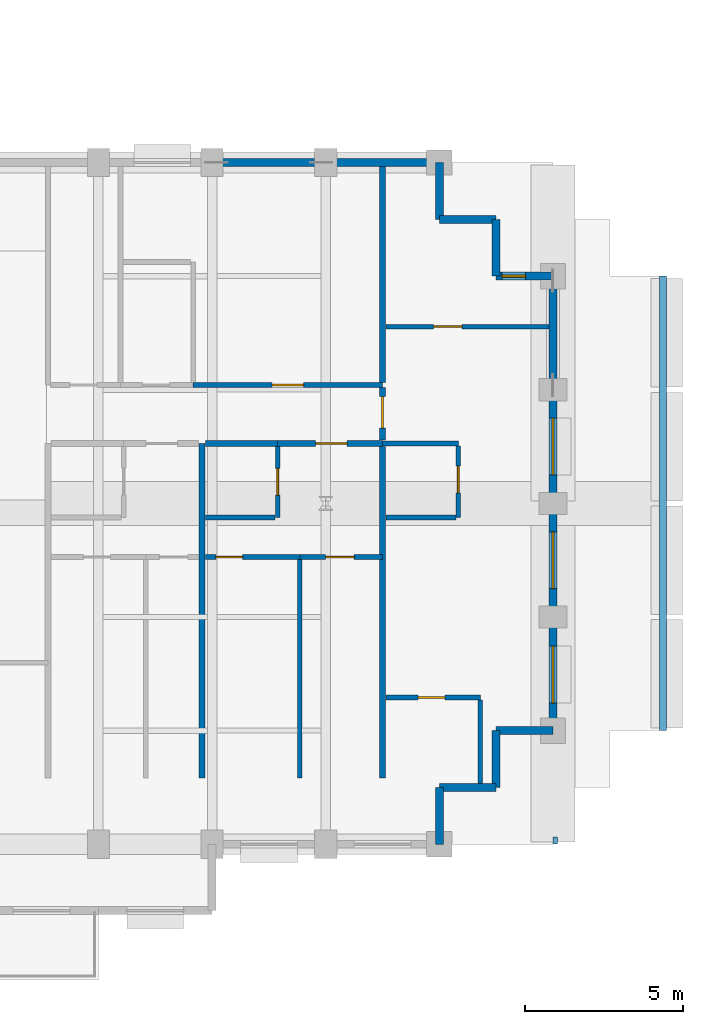
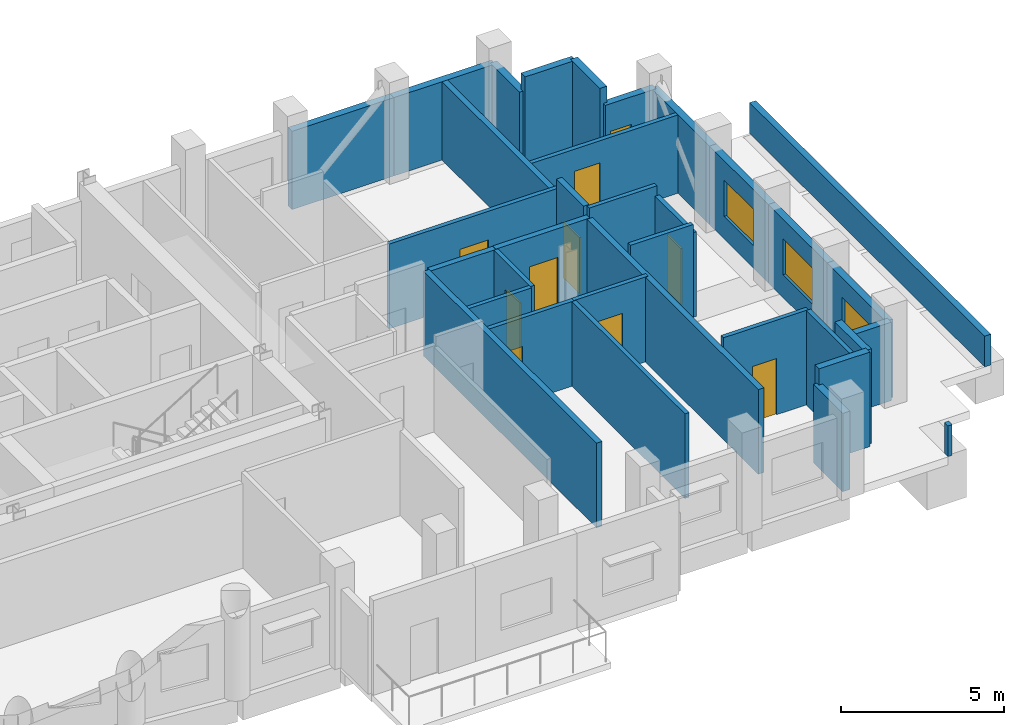
# One storey, part 6 of 10: 34 walls, 9 doors, 4 windows, 13 openings.
"""IFC4 building model written with IfcOpenShell, lengths in metres."""

from ifc_helpers import new_model, si_unit, direction, frame, frame_2d, origin, place, context, subcontext, project, spatial, rectangle, extrude, material, layer, layer_set, type_object, element, fill, save


model = new_model("IFC4")

# Units and contexts
model_context = context("Model", 3, precision=1e-05, world=origin(), true_north=direction((0.0, 1.0)))
body_context = subcontext(model_context, "Body", "Model", "MODEL_VIEW")
ifc_project = project(units=[si_unit("LENGTHUNIT", "METRE"), si_unit("AREAUNIT", "SQUARE_METRE"), si_unit("VOLUMEUNIT", "CUBIC_METRE"), si_unit("PLANEANGLEUNIT", "RADIAN"), si_unit("MASSUNIT", "GRAM", prefix="KILO")], contexts=[model_context])

# Site, building, storey
site_placement = place(None, origin())
site = spatial("IfcSite", under=ifc_project, at=site_placement, CompositionType="ELEMENT")
building_placement = place(site_placement, origin())
building = spatial("IfcBuilding", under=site, at=building_placement, Name="Solnavia Interchange Tower", CompositionType="ELEMENT")
storey_placement = place(building_placement, frame((0.0, 0.0, 174.800048828125)))
storey = spatial("IfcBuildingStorey", under=building, at=storey_placement, Name="L43", CompositionType="ELEMENT", Elevation=174.800048828125)

# Walls
ifc_material_1 = material(Name="Gypsum Acoustic Twin-Stud & Mineral Wool", Category="gypsum")
ifc_layer_1 = layer(ifc_material_1, 0.199951171875)
ifc_layer_set_1 = layer_set([ifc_layer_1], Name="Gypsum Acoustic Twin-Stud & Mineral Wool")
wall_type_1 = type_object("IfcWallType", Name="Wall-ApartmentParty-200", PredefinedType="PARTITIONING", material=ifc_layer_set_1)
wall_1_placement = place(storey_placement, frame((39.280029296875, 5.699951171875, 0.0), z_axis=(0.0, 0.0, 1.0), x_axis=(0.0, 1.0, 0.0)))
element("IfcWall", 1, at=wall_1_placement, inside=storey, type_object=wall_type_1, Name="PTW-L43-14 Interior partition wall", PredefinedType="PARTITIONING", context=body_context, shape_type="SweptSolid", body=[
    extrude(rectangle(XDim=10.60009765625, YDim=0.199951171875, at=frame_2d((5.300048828125, 0.0))), origin(), (0.0, 0.0, 1.0), 3.169921875),
])
wall_2_placement = place(storey_placement, frame((39.384033203125, 16.300048828125, 0.0), z_axis=(0.0, 0.0, 1.0), x_axis=(1.0, 0.0, 0.0)))
element("IfcWall", 2, at=wall_2_placement, inside=storey, type_object=wall_type_1, Name="PTW-L43-22 Interior partition wall", PredefinedType="PARTITIONING", context=body_context, shape_type="SweptSolid", body=[
    extrude(rectangle(XDim=2.2958984375, YDim=0.199951171875, at=frame_2d((1.14794921875, 0.0))), origin(), (0.0, 0.0, 1.0), 3.169921875),
])

# Wall, opening, door
wall_3_placement = place(storey_placement, frame((41.679931640625, 16.300048828125, 0.0), z_axis=(0.0, 0.0, 1.0), x_axis=(1.0, 0.0, 0.0)))
wall_3 = element("IfcWall", 3, at=wall_3_placement, inside=storey, type_object=wall_type_1, Name="PTW-L43-25 Interior partition wall", PredefinedType="PARTITIONING", context=body_context, shape_type="SweptSolid", body=[
    extrude(rectangle(XDim=3.320068359375, YDim=0.199951171875, at=frame_2d((1.66015625, 0.0))), origin(), (0.0, 0.0, 1.0), 3.179931640625),
])
opening_1_placement = place(wall_3_placement, frame((1.198974609375, 0.0, 0.0)))
opening_1 = element("IfcOpeningElement", 4, at=opening_1_placement, cuts=wall_3, Name="Opening DR-06", PredefinedType="OPENING", context=body_context, shape_type="SweptSolid", body=[
    extrude(rectangle(XDim=1.0, YDim=2.10009765625, at=frame_2d((0.5, 1.050048828125))), frame((0.0, 0.10986328125, 0.0), z_axis=(0.0, -1.0, 0.0), x_axis=(1.0, 0.0, 0.0)), (0.0, 0.0, 1.0), 0.219970703125),
])
ifc_material_2 = material(Name="Engineered Timber Acoustic Fire Door", Category="wood")
door_type_1 = type_object("IfcDoorType", Name="Door-FlatEntry-1000x2100", OperationType="SINGLE_SWING_LEFT", PredefinedType="DOOR", material=ifc_material_2)
door_1_placement = place(opening_1_placement, origin())
door_1 = element("IfcDoor", 5, at=door_1_placement, inside=storey, type_object=door_type_1, Name="DR-L43-11 Interior room door", OperationType="SINGLE_SWING_LEFT", OverallHeight=2.10009765625, OverallWidth=1.0, PredefinedType="DOOR", context=body_context, shape_type="SweptSolid", body=[
    extrude(rectangle(XDim=1.0, YDim=2.10009765625, at=frame_2d((0.5, 1.050048828125))), frame((0.0, 0.02490234375, 0.0), z_axis=(0.0, -1.0, 0.0), x_axis=(1.0, 0.0, 0.0)), (0.0, 0.0, 1.0), 0.050048828125),
])
fill(opening_1, door_1)

# Walls
wall_4_placement = place(storey_placement, frame((45.0, 5.699951171875, 0.0), z_axis=(0.0, 0.0, 1.0), x_axis=(0.0, 1.0, 0.0)))
element("IfcWall", 6, at=wall_4_placement, inside=storey, type_object=wall_type_1, Name="PTW-L43-30 Interior partition wall", PredefinedType="PARTITIONING", context=body_context, shape_type="SweptSolid", body=[
    extrude(rectangle(XDim=10.49609375, YDim=0.199951171875, at=frame_2d((5.248046875, 0.0))), origin(), (0.0, 0.0, 1.0), 3.169921875),
])
wall_5_placement = place(storey_placement, frame((45.0, 18.22900390625, 0.0), z_axis=(0.0, 0.0, 1.0), x_axis=(0.0, 1.0, 0.0)))
element("IfcWall", 7, at=wall_5_placement, inside=storey, type_object=wall_type_1, Name="PTW-L43-31 Interior partition wall", PredefinedType="PARTITIONING", context=body_context, shape_type="SweptSolid", body=[
    extrude(rectangle(XDim=6.842041015625, YDim=0.199951171875, at=frame_2d((3.4208984375, 0.0))), origin(), (0.0, 0.0, 1.0), 2.929931640625),
])

# Wall, opening, door
wall_6_placement = place(storey_placement, frame((45.0, 16.404052734375, 0.0), z_axis=(0.0, 0.0, 1.0), x_axis=(0.0, 1.0, 0.0)))
wall_6 = element("IfcWall", 8, at=wall_6_placement, inside=storey, type_object=wall_type_1, Name="PTW-L43-32 Interior partition wall", PredefinedType="PARTITIONING", context=body_context, shape_type="SweptSolid", body=[
    extrude(rectangle(XDim=1.6669921875, YDim=0.199951171875, at=frame_2d((0.83349609375, 0.0))), origin(), (0.0, 0.0, 1.0), 3.534912109375),
])
opening_2_placement = place(wall_6_placement, frame((0.3798828125, 0.0, 0.0)))
opening_2 = element("IfcOpeningElement", 9, at=opening_2_placement, cuts=wall_6, Name="Opening DR-06", PredefinedType="OPENING", context=body_context, shape_type="SweptSolid", body=[
    extrude(rectangle(XDim=1.0, YDim=2.10009765625, at=frame_2d((0.5, 1.050048828125))), frame((0.0, 0.10986328125, 0.0), z_axis=(0.0, -1.0, 0.0), x_axis=(1.0, 0.0, 0.0)), (0.0, 0.0, 1.0), 0.219970703125),
])
door_2_placement = place(opening_2_placement, origin())
door_2 = element("IfcDoor", 10, at=door_2_placement, inside=storey, type_object=door_type_1, Name="DR-L43-15 Interior room door", OperationType="SINGLE_SWING_RIGHT", OverallHeight=2.10009765625, OverallWidth=1.0, PredefinedType="DOOR", context=body_context, shape_type="SweptSolid", body=[
    extrude(rectangle(XDim=1.0, YDim=2.10009765625, at=frame_2d((0.5, 1.050048828125))), frame((0.0, 0.02490234375, 0.0), z_axis=(0.0, -1.0, 0.0), x_axis=(1.0, 0.0, 0.0)), (0.0, 0.0, 1.0), 0.050048828125),
])
fill(opening_2, door_2)

# Walls
ifc_material_3 = material(Name="Concrete C40/50", Category="concrete")
ifc_layer_2 = layer(ifc_material_3, 0.25)
ifc_layer_set_2 = layer_set([ifc_layer_2], Name="Concrete C40/50")
wall_type_2 = type_object("IfcWallType", Name="Wall-ExtSpandrel-250", PredefinedType="STANDARD", material=ifc_layer_set_2)
wall_7_placement = place(storey_placement, frame((46.800048828125, 5.39990234375, 0.0), z_axis=(0.0, 0.0, 1.0), x_axis=(0.0, -1.0, 0.0)))
element("IfcWall", 11, at=wall_7_placement, inside=storey, type_object=wall_type_2, Name="EXW-L43-09 Exterior precast spandrel wall", PredefinedType="STANDARD", context=body_context, shape_type="SweptSolid", body=[
    extrude(rectangle(XDim=1.7998046875, YDim=0.25, at=frame_2d((0.89990234375, 0.0))), origin(), (0.0, 0.0, 1.0), 2.929931640625),
])
for number, where, z_axis, x_axis, name in (
    (12, (48.60009765625, 5.39990234375, 0.0), (0.0, 0.0, 1.0), (-1.0, 0.0, 0.0), "EXW-L43-10 Exterior precast spandrel wall"),
    (13, (48.60009765625, 7.199951171875, 0.0), (0.0, 0.0, 1.0), (0.0, -1.0, 0.0), "EXW-L43-11 Exterior precast spandrel wall"),
):
    element("IfcWall", number, at=place(storey_placement, frame(where, z_axis=z_axis, x_axis=x_axis)), inside=storey, type_object=wall_type_2, Name=name, PredefinedType="STANDARD", context=body_context, shape_type="SweptSolid", body=[
        extrude(rectangle(XDim=1.800048828125, YDim=0.25, at=frame_2d((0.89990234375, 0.0))), origin(), (0.0, 0.0, 1.0), 3.534912109375),
    ])
wall_8_placement = place(storey_placement, frame((50.39990234375, 7.199951171875, 0.0), z_axis=(0.0, 0.0, 1.0), x_axis=(-1.0, 0.0, 0.0)))
element("IfcWall", 14, at=wall_8_placement, inside=storey, type_object=wall_type_2, Name="EXW-L43-12 Exterior precast spandrel wall", PredefinedType="STANDARD", context=body_context, shape_type="SweptSolid", body=[
    extrude(rectangle(XDim=1.7998046875, YDim=0.25, at=frame_2d((0.89990234375, 0.0))), origin(), (0.0, 0.0, 1.0), 2.929931640625),
])

# Wall, opening, window
wall_9_placement = place(storey_placement, frame((50.39990234375, 10.800048828125, 0.0), z_axis=(0.0, 0.0, 1.0), x_axis=(0.0, -1.0, 0.0)))
wall_9 = element("IfcWall", 15, at=wall_9_placement, inside=storey, type_object=wall_type_2, Name="EXW-L43-13 Exterior precast spandrel wall", PredefinedType="STANDARD", context=body_context, shape_type="SweptSolid", body=[
    extrude(rectangle(XDim=3.60009765625, YDim=0.25, at=frame_2d((1.800048828125, 0.0))), origin(), (0.0, 0.0, 1.0), 2.929931640625),
])
opening_3_placement = place(wall_9_placement, frame((0.925048828125, 0.0, 0.85009765625)))
opening_3 = element("IfcOpeningElement", 16, at=opening_3_placement, cuts=wall_9, Name="Opening WIN-02", PredefinedType="OPENING", context=body_context, shape_type="SweptSolid", body=[
    extrude(rectangle(XDim=1.800048828125, YDim=1.35009765625, at=frame_2d((0.89990234375, 0.675048828125))), frame((0.0, 0.135009765625, 0.0), z_axis=(0.0, -1.0, 0.0), x_axis=(1.0, 0.0, 0.0)), (0.0, 0.0, 1.0), 0.27001953125),
])
ifc_material_4 = material(Name="Thermal-Break Aluminium & Low-E Glass", Category="aluminium")
window_type_1 = type_object("IfcWindowType", Name="Window-Ribbon-1800x1350", PartitioningType="SINGLE_PANEL", PredefinedType="WINDOW", material=ifc_material_4)
window_1_placement = place(opening_3_placement, origin())
window_1 = element("IfcWindow", 17, at=window_1_placement, inside=storey, type_object=window_type_1, Name="WIN-L43-13 Facade ribbon window", OverallHeight=1.35009765625, OverallWidth=1.800048828125, PartitioningType="SINGLE_PANEL", PredefinedType="WINDOW", context=body_context, shape_type="SweptSolid", body=[
    extrude(rectangle(XDim=1.800048828125, YDim=1.35009765625, at=frame_2d((0.89990234375, 0.675048828125))), frame((0.0, 0.030029296875, 0.0), z_axis=(0.0, -1.0, 0.0), x_axis=(1.0, 0.0, 0.0)), (0.0, 0.0, 1.0), 0.06005859375),
])
fill(opening_3, window_1)

wall_10_placement = place(storey_placement, frame((50.39990234375, 14.39990234375, 0.0), z_axis=(0.0, 0.0, 1.0), x_axis=(0.0, -1.0, 0.0)))
wall_10 = element("IfcWall", 18, at=wall_10_placement, inside=storey, type_object=wall_type_2, Name="EXW-L43-14 Exterior precast spandrel wall", PredefinedType="STANDARD", context=body_context, shape_type="SweptSolid", body=[
    extrude(rectangle(XDim=3.599853515625, YDim=0.25, at=frame_2d((1.7998046875, 0.0))), origin(), (0.0, 0.0, 1.0), 2.929931640625),
])
opening_4_placement = place(wall_10_placement, frame((0.89990234375, 0.0, 0.85009765625)))
opening_4 = element("IfcOpeningElement", 19, at=opening_4_placement, cuts=wall_10, Name="Opening WIN-02", PredefinedType="OPENING", context=body_context, shape_type="SweptSolid", body=[
    extrude(rectangle(XDim=1.800048828125, YDim=1.35009765625, at=frame_2d((0.89990234375, 0.675048828125))), frame((0.0, 0.135009765625, 0.0), z_axis=(0.0, -1.0, 0.0), x_axis=(1.0, 0.0, 0.0)), (0.0, 0.0, 1.0), 0.27001953125),
])
window_2_placement = place(opening_4_placement, origin())
window_2 = element("IfcWindow", 20, at=window_2_placement, inside=storey, type_object=window_type_1, Name="WIN-L43-14 Facade ribbon window", OverallHeight=1.35009765625, OverallWidth=1.800048828125, PartitioningType="SINGLE_PANEL", PredefinedType="WINDOW", context=body_context, shape_type="SweptSolid", body=[
    extrude(rectangle(XDim=1.800048828125, YDim=1.35009765625, at=frame_2d((0.89990234375, 0.675048828125))), frame((0.0, 0.030029296875, 0.0), z_axis=(0.0, -1.0, 0.0), x_axis=(1.0, 0.0, 0.0)), (0.0, 0.0, 1.0), 0.06005859375),
])
fill(opening_4, window_2)

wall_11_placement = place(storey_placement, frame((50.39990234375, 18.0, 0.0), z_axis=(0.0, 0.0, 1.0), x_axis=(0.0, -1.0, 0.0)))
wall_11 = element("IfcWall", 21, at=wall_11_placement, inside=storey, type_object=wall_type_2, Name="EXW-L43-15 Exterior precast spandrel wall", PredefinedType="STANDARD", context=body_context, shape_type="SweptSolid", body=[
    extrude(rectangle(XDim=3.60009765625, YDim=0.25, at=frame_2d((1.800048828125, 0.0))), origin(), (0.0, 0.0, 1.0), 2.929931640625),
])
opening_5_placement = place(wall_11_placement, frame((0.89990234375, 0.0, 0.85009765625)))
opening_5 = element("IfcOpeningElement", 22, at=opening_5_placement, cuts=wall_11, Name="Opening WIN-02", PredefinedType="OPENING", context=body_context, shape_type="SweptSolid", body=[
    extrude(rectangle(XDim=1.800048828125, YDim=1.35009765625, at=frame_2d((0.89990234375, 0.675048828125))), frame((0.0, 0.135009765625, 0.0), z_axis=(0.0, -1.0, 0.0), x_axis=(1.0, 0.0, 0.0)), (0.0, 0.0, 1.0), 0.27001953125),
])
window_3_placement = place(opening_5_placement, origin())
window_3 = element("IfcWindow", 23, at=window_3_placement, inside=storey, type_object=window_type_1, Name="WIN-L43-15 Facade ribbon window", OverallHeight=1.35009765625, OverallWidth=1.800048828125, PartitioningType="SINGLE_PANEL", PredefinedType="WINDOW", context=body_context, shape_type="SweptSolid", body=[
    extrude(rectangle(XDim=1.800048828125, YDim=1.35009765625, at=frame_2d((0.89990234375, 0.675048828125))), frame((0.0, 0.030029296875, 0.0), z_axis=(0.0, -1.0, 0.0), x_axis=(1.0, 0.0, 0.0)), (0.0, 0.0, 1.0), 0.06005859375),
])
fill(opening_5, window_3)

# Wall
wall_12_placement = place(storey_placement, frame((50.39990234375, 21.60009765625, 0.0), z_axis=(0.0, 0.0, 1.0), x_axis=(0.0, -1.0, 0.0)))
element("IfcWall", 24, at=wall_12_placement, inside=storey, type_object=wall_type_2, Name="EXW-L43-16 Exterior precast spandrel wall", PredefinedType="STANDARD", context=body_context, shape_type="SweptSolid", body=[
    extrude(rectangle(XDim=3.60009765625, YDim=0.25, at=frame_2d((1.800048828125, 0.0))), origin(), (0.0, 0.0, 1.0), 2.929931640625),
])

# Wall, opening, window
wall_13_placement = place(storey_placement, frame((48.60009765625, 21.60009765625, 0.0), z_axis=(0.0, 0.0, 1.0), x_axis=(1.0, 0.0, 0.0)))
wall_13 = element("IfcWall", 25, at=wall_13_placement, inside=storey, type_object=wall_type_2, Name="EXW-L43-17 Exterior precast spandrel wall", PredefinedType="STANDARD", context=body_context, shape_type="SweptSolid", body=[
    extrude(rectangle(XDim=1.7998046875, YDim=0.25, at=frame_2d((0.89990234375, 0.0))), origin(), (0.0, 0.0, 1.0), 2.929931640625),
])
opening_6_placement = place(wall_13_placement, frame((0.179931640625, 0.0, 0.85009765625)))
opening_6 = element("IfcOpeningElement", 26, at=opening_6_placement, cuts=wall_13, Name="Opening WIN-08", PredefinedType="OPENING", context=body_context, shape_type="SweptSolid", body=[
    extrude(rectangle(XDim=0.75, YDim=1.050048828125, at=frame_2d((0.375, 0.52490234375))), frame((0.0, 0.135009765625, 0.0), z_axis=(0.0, -1.0, 0.0), x_axis=(1.0, 0.0, 0.0)), (0.0, 0.0, 1.0), 0.27001953125),
])
window_type_2 = type_object("IfcWindowType", Name="Window-Bedroom-750x1050", PartitioningType="SINGLE_PANEL", PredefinedType="WINDOW", material=ifc_material_4)
window_4_placement = place(opening_6_placement, origin())
window_4 = element("IfcWindow", 27, at=window_4_placement, inside=storey, type_object=window_type_2, Name="WIN-L43-DW01 Dwelling bedroom window", OverallHeight=1.050048828125, OverallWidth=0.75, PartitioningType="SINGLE_PANEL", PredefinedType="WINDOW", context=body_context, shape_type="SweptSolid", body=[
    extrude(rectangle(XDim=0.75, YDim=1.050048828125, at=frame_2d((0.375, 0.52490234375))), frame((0.0, 0.030029296875, 0.0), z_axis=(0.0, -1.0, 0.0), x_axis=(1.0, 0.0, 0.0)), (0.0, 0.0, 1.0), 0.06005859375),
])
fill(opening_6, window_4)

# Walls
wall_14_placement = place(storey_placement, frame((48.60009765625, 23.39990234375, 0.0), z_axis=(0.0, 0.0, 1.0), x_axis=(0.0, -1.0, 0.0)))
element("IfcWall", 28, at=wall_14_placement, inside=storey, type_object=wall_type_2, Name="EXW-L43-18 Exterior precast spandrel wall", PredefinedType="STANDARD", context=body_context, shape_type="SweptSolid", body=[
    extrude(rectangle(XDim=1.7998046875, YDim=0.25, at=frame_2d((0.89990234375, 0.0))), origin(), (0.0, 0.0, 1.0), 3.534912109375),
])
wall_15_placement = place(storey_placement, frame((46.800048828125, 23.39990234375, 0.0), z_axis=(0.0, 0.0, 1.0), x_axis=(1.0, 0.0, 0.0)))
element("IfcWall", 29, at=wall_15_placement, inside=storey, type_object=wall_type_2, Name="EXW-L43-19 Exterior precast spandrel wall", PredefinedType="STANDARD", context=body_context, shape_type="SweptSolid", body=[
    extrude(rectangle(XDim=1.800048828125, YDim=0.25, at=frame_2d((0.89990234375, 0.0))), origin(), (0.0, 0.0, 1.0), 3.534912109375),
])
wall_16_placement = place(storey_placement, frame((46.800048828125, 25.199951171875, 0.0), z_axis=(0.0, 0.0, 1.0), x_axis=(0.0, -1.0, 0.0)))
element("IfcWall", 30, at=wall_16_placement, inside=storey, type_object=wall_type_2, Name="EXW-L43-20 Exterior precast spandrel wall", PredefinedType="STANDARD", context=body_context, shape_type="SweptSolid", body=[
    extrude(rectangle(XDim=1.800048828125, YDim=0.25, at=frame_2d((0.89990234375, 0.0))), origin(), (0.0, 0.0, 1.0), 2.929931640625),
])
wall_17_placement = place(storey_placement, frame((43.199951171875, 25.199951171875, 0.0), z_axis=(0.0, 0.0, 1.0), x_axis=(1.0, 0.0, 0.0)))
element("IfcWall", 31, at=wall_17_placement, inside=storey, type_object=wall_type_2, Name="EXW-L43-21 Exterior precast spandrel wall", PredefinedType="STANDARD", context=body_context, shape_type="SweptSolid", body=[
    extrude(rectangle(XDim=3.60009765625, YDim=0.25, at=frame_2d((1.800048828125, 0.0))), origin(), (0.0, 0.0, 1.0), 2.929931640625),
])
wall_18_placement = place(storey_placement, frame((39.60009765625, 25.199951171875, 0.0), z_axis=(0.0, 0.0, 1.0), x_axis=(1.0, 0.0, 0.0)))
element("IfcWall", 32, at=wall_18_placement, inside=storey, type_object=wall_type_2, Name="EXW-L43-22 Exterior precast spandrel wall", PredefinedType="STANDARD", context=body_context, shape_type="SweptSolid", body=[
    extrude(rectangle(XDim=3.599853515625, YDim=0.25, at=frame_2d((1.7998046875, 0.0))), origin(), (0.0, 0.0, 1.0), 2.929931640625),
])
ifc_layer_3 = layer(ifc_material_3, 0.219970703125)
ifc_layer_set_3 = layer_set([ifc_layer_3], Name="Concrete C40/50")
wall_type_3 = type_object("IfcWallType", Name="Wall-Parapet-220", PredefinedType="PARAPET", material=ifc_layer_set_3)
wall_19_placement = place(storey_placement, frame((50.550048828125, 3.719970703125, 0.0), z_axis=(0.0, 0.0, 1.0), x_axis=(-1.0, 0.0, 0.0)))
element("IfcWall", 33, at=wall_19_placement, inside=storey, type_object=wall_type_3, Name="PRP-L43-E1 Setback roof parapet", PredefinedType="PARAPET", context=body_context, shape_type="SweptSolid", body=[
    extrude(rectangle(XDim=0.150146484375, YDim=0.219970703125, at=frame_2d((0.0751953125, 0.0))), origin(), (0.0, 0.0, 1.0), 1.14990234375),
])
wall_20_placement = place(storey_placement, frame((53.8798828125, 7.199951171875, 0.0), z_axis=(0.0, 0.0, 1.0), x_axis=(0.0, 1.0, 0.0)))
element("IfcWall", 34, at=wall_20_placement, inside=storey, type_object=wall_type_3, Name="PRP-L43-E2 Setback roof parapet", PredefinedType="PARAPET", context=body_context, shape_type="SweptSolid", body=[
    extrude(rectangle(XDim=14.400146484375, YDim=0.219970703125, at=frame_2d((7.2001953125, 0.0))), origin(), (0.0, 0.0, 1.0), 1.14990234375),
])

# Wall, opening, door
ifc_material_5 = material(Name="Gypsum Plasterboard & Steel Stud", Category="steel")
ifc_layer_4 = layer(ifc_material_5, 0.14990234375)
ifc_layer_set_4 = layer_set([ifc_layer_4], Name="Gypsum Plasterboard & Steel Stud")
wall_type_4 = type_object("IfcWallType", Name="Wall-Partition-150", PredefinedType="PARTITIONING", material=ifc_layer_set_4)
wall_21_placement = place(storey_placement, frame((42.3798828125, 12.699951171875, 0.0), z_axis=(0.0, 0.0, 1.0), x_axis=(1.0, 0.0, 0.0)))
wall_21 = element("IfcWall", 35, at=wall_21_placement, inside=storey, type_object=wall_type_4, Name="PTW-L43-26 Interior partition wall", PredefinedType="PARTITIONING", context=body_context, shape_type="SweptSolid", body=[
    extrude(rectangle(XDim=2.6201171875, YDim=0.14990234375, at=frame_2d((1.31005859375, 0.0))), origin(), (0.0, 0.0, 1.0), 3.179931640625),
])
opening_7_placement = place(wall_21_placement, frame((0.820068359375, 0.0, 0.0)))
opening_7 = element("IfcOpeningElement", 36, at=opening_7_placement, cuts=wall_21, Name="Opening DR-09", PredefinedType="OPENING", context=body_context, shape_type="SweptSolid", body=[
    extrude(rectangle(XDim=0.89990234375, YDim=2.10009765625, at=frame_2d((0.449951171875, 1.050048828125))), frame((0.0, 0.0849609375, 0.0), z_axis=(0.0, -1.0, 0.0), x_axis=(1.0, 0.0, 0.0)), (0.0, 0.0, 1.0), 0.169921875),
])
ifc_material_6 = material(Name="Engineered Oak Veneer Door", Category="wood")
door_type_2 = type_object("IfcDoorType", Name="Door-Internal-900x2100", OperationType="SINGLE_SWING_LEFT", PredefinedType="DOOR", material=ifc_material_6)
door_3_placement = place(opening_7_placement, origin())
door_3 = element("IfcDoor", 37, at=door_3_placement, inside=storey, type_object=door_type_2, Name="DR-L43-12 Interior room door", OperationType="SINGLE_SWING_RIGHT", OverallHeight=2.10009765625, OverallWidth=0.89990234375, PredefinedType="DOOR", context=body_context, shape_type="SweptSolid", body=[
    extrude(rectangle(XDim=0.89990234375, YDim=2.10009765625, at=frame_2d((0.449951171875, 1.050048828125))), frame((0.0, 0.02490234375, 0.0), z_axis=(0.0, -1.0, 0.0), x_axis=(1.0, 0.0, 0.0)), (0.0, 0.0, 1.0), 0.050048828125),
])
fill(opening_7, door_3)

wall_22_placement = place(storey_placement, frame((39.0, 18.14990234375, 0.0), z_axis=(0.0, 0.0, 1.0), x_axis=(1.0, 0.0, 0.0)))
wall_22 = element("IfcWall", 38, at=wall_22_placement, inside=storey, type_object=wall_type_4, Name="PTW-L43-29 Interior partition wall", PredefinedType="PARTITIONING", context=body_context, shape_type="SweptSolid", body=[
    extrude(rectangle(XDim=6.0, YDim=0.14990234375, at=frame_2d((3.0, 0.0))), origin(), (0.0, 0.0, 1.0), 3.169921875),
])
opening_8_placement = place(wall_22_placement, frame((2.5, 0.0, 0.0)))
opening_8 = element("IfcOpeningElement", 39, at=opening_8_placement, cuts=wall_22, Name="Opening DR-07", PredefinedType="OPENING", context=body_context, shape_type="SweptSolid", body=[
    extrude(rectangle(XDim=1.0, YDim=2.10009765625, at=frame_2d((0.5, 1.050048828125))), frame((0.0, 0.0849609375, 0.0), z_axis=(0.0, -1.0, 0.0), x_axis=(1.0, 0.0, 0.0)), (0.0, 0.0, 1.0), 0.169921875),
])
ifc_material_7 = material(Name="Timber & Acoustic Glazed Office Door", Category="wood")
door_type_3 = type_object("IfcDoorType", Name="Door-Office-1000x2100", OperationType="SINGLE_SWING_RIGHT", PredefinedType="DOOR", material=ifc_material_7)
door_4_placement = place(opening_8_placement, origin())
door_4 = element("IfcDoor", 40, at=door_4_placement, inside=storey, type_object=door_type_3, Name="DR-L43-14 Interior room door", OperationType="SINGLE_SWING_RIGHT", OverallHeight=2.10009765625, OverallWidth=1.0, PredefinedType="DOOR", context=body_context, shape_type="SweptSolid", body=[
    extrude(rectangle(XDim=1.0, YDim=2.10009765625, at=frame_2d((0.5, 1.050048828125))), frame((0.0, 0.02490234375, 0.0), z_axis=(0.0, -1.0, 0.0), x_axis=(1.0, 0.0, 0.0)), (0.0, 0.0, 1.0), 0.050048828125),
])
fill(opening_8, door_4)

wall_23_placement = place(storey_placement, frame((45.10400390625, 20.0, 0.0), z_axis=(0.0, 0.0, 1.0), x_axis=(1.0, 0.0, 0.0)))
wall_23 = element("IfcWall", 41, at=wall_23_placement, inside=storey, type_object=wall_type_4, Name="PTW-L43-36 Interior partition wall", PredefinedType="PARTITIONING", context=body_context, shape_type="SweptSolid", body=[
    extrude(rectangle(XDim=5.1669921875, YDim=0.14990234375, at=frame_2d((2.58349609375, 0.0))), origin(), (0.0, 0.0, 1.0), 2.929931640625),
])
opening_9_placement = place(wall_23_placement, frame((1.51611328125, 0.0, 0.0)))
opening_9 = element("IfcOpeningElement", 42, at=opening_9_placement, cuts=wall_23, Name="Opening DR-09", PredefinedType="OPENING", context=body_context, shape_type="SweptSolid", body=[
    extrude(rectangle(XDim=0.89990234375, YDim=2.10009765625, at=frame_2d((0.449951171875, 1.050048828125))), frame((0.0, 0.0849609375, 0.0), z_axis=(0.0, -1.0, 0.0), x_axis=(1.0, 0.0, 0.0)), (0.0, 0.0, 1.0), 0.169921875),
])
door_5_placement = place(opening_9_placement, origin())
door_5 = element("IfcDoor", 43, at=door_5_placement, inside=storey, type_object=door_type_2, Name="DR-L43-17 Interior room door", OperationType="SINGLE_SWING_LEFT", OverallHeight=2.10009765625, OverallWidth=0.89990234375, PredefinedType="DOOR", context=body_context, shape_type="SweptSolid", body=[
    extrude(rectangle(XDim=0.89990234375, YDim=2.10009765625, at=frame_2d((0.449951171875, 1.050048828125))), frame((0.0, 0.02490234375, 0.0), z_axis=(0.0, -1.0, 0.0), x_axis=(1.0, 0.0, 0.0)), (0.0, 0.0, 1.0), 0.050048828125),
])
fill(opening_9, door_5)

ifc_material_8 = material(Name="Moisture-Resistant Gypsum & Steel Stud", Category="steel")
ifc_layer_5 = layer(ifc_material_8, 0.14990234375)
ifc_layer_set_5 = layer_set([ifc_layer_5], Name="Moisture-Resistant Gypsum & Steel Stud")
wall_type_5 = type_object("IfcWallType", Name="Wall-WetRoom-150", PredefinedType="PARTITIONING", material=ifc_layer_set_5)
wall_24_placement = place(storey_placement, frame((41.679931640625, 13.949951171875, 0.0), z_axis=(0.0, 0.0, 1.0), x_axis=(0.0, 1.0, 0.0)))
wall_24 = element("IfcWall", 44, at=wall_24_placement, inside=storey, type_object=wall_type_5, Name="PTW-L43-23 Interior partition wall", PredefinedType="PARTITIONING", context=body_context, shape_type="SweptSolid", body=[
    extrude(rectangle(XDim=2.24609375, YDim=0.14990234375, at=frame_2d((1.123046875, 0.0))), origin(), (0.0, 0.0, 1.0), 3.169921875),
])
opening_10_placement = place(wall_24_placement, frame((0.7119140625, 0.0, 0.0)))
opening_10 = element("IfcOpeningElement", 45, at=opening_10_placement, cuts=wall_24, Name="Opening DR-10", PredefinedType="OPENING", context=body_context, shape_type="SweptSolid", body=[
    extrude(rectangle(XDim=0.85009765625, YDim=2.10009765625, at=frame_2d((0.425048828125, 1.050048828125))), frame((0.0, 0.0849609375, 0.0), z_axis=(0.0, -1.0, 0.0), x_axis=(1.0, 0.0, 0.0)), (0.0, 0.0, 1.0), 0.169921875),
])
ifc_material_9 = material(Name="Moisture-Resistant Timber Door", Category="wood")
door_type_4 = type_object("IfcDoorType", Name="Door-Bathroom-850x2100", OperationType="SINGLE_SWING_RIGHT", PredefinedType="DOOR", material=ifc_material_9)
door_6_placement = place(opening_10_placement, origin())
door_6 = element("IfcDoor", 46, at=door_6_placement, inside=storey, type_object=door_type_4, Name="DR-L43-10 Interior room door", OperationType="SINGLE_SWING_RIGHT", OverallHeight=2.10009765625, OverallWidth=0.85009765625, PredefinedType="DOOR", context=body_context, shape_type="SweptSolid", body=[
    extrude(rectangle(XDim=0.85009765625, YDim=2.10009765625, at=frame_2d((0.425048828125, 1.050048828125))), frame((0.0, 0.02490234375, 0.0), z_axis=(0.0, -1.0, 0.0), x_axis=(1.0, 0.0, 0.0)), (0.0, 0.0, 1.0), 0.050048828125),
])
fill(opening_10, door_6)

# Wall
wall_25_placement = place(storey_placement, frame((39.384033203125, 13.949951171875, 0.0), z_axis=(0.0, 0.0, 1.0), x_axis=(1.0, 0.0, 0.0)))
element("IfcWall", 47, at=wall_25_placement, inside=storey, type_object=wall_type_5, Name="PTW-L43-24 Interior partition wall", PredefinedType="PARTITIONING", context=body_context, shape_type="SweptSolid", body=[
    extrude(rectangle(XDim=2.217041015625, YDim=0.14990234375, at=frame_2d((1.1083984375, 0.0))), origin(), (0.0, 0.0, 1.0), 3.169921875),
])

# Wall, opening, door
wall_26_placement = place(storey_placement, frame((39.384033203125, 12.699951171875, 0.0), z_axis=(0.0, 0.0, 1.0), x_axis=(1.0, 0.0, 0.0)))
wall_26 = element("IfcWall", 48, at=wall_26_placement, inside=storey, type_object=wall_type_5, Name="PTW-L43-27 Interior partition wall", PredefinedType="PARTITIONING", context=body_context, shape_type="SweptSolid", body=[
    extrude(rectangle(XDim=2.995849609375, YDim=0.14990234375, at=frame_2d((1.498046875, 0.0))), origin(), (0.0, 0.0, 1.0), 3.169921875),
])
opening_11_placement = place(wall_26_placement, frame((0.3330078125, 0.0, 0.0)))
opening_11 = element("IfcOpeningElement", 49, at=opening_11_placement, cuts=wall_26, Name="Opening DR-10", PredefinedType="OPENING", context=body_context, shape_type="SweptSolid", body=[
    extrude(rectangle(XDim=0.85009765625, YDim=2.10009765625, at=frame_2d((0.425048828125, 1.050048828125))), frame((0.0, 0.0849609375, 0.0), z_axis=(0.0, -1.0, 0.0), x_axis=(1.0, 0.0, 0.0)), (0.0, 0.0, 1.0), 0.169921875),
])
door_7_placement = place(opening_11_placement, origin())
door_7 = element("IfcDoor", 50, at=door_7_placement, inside=storey, type_object=door_type_4, Name="DR-L43-13 Interior room door", OperationType="SINGLE_SWING_LEFT", OverallHeight=2.10009765625, OverallWidth=0.85009765625, PredefinedType="DOOR", context=body_context, shape_type="SweptSolid", body=[
    extrude(rectangle(XDim=0.85009765625, YDim=2.10009765625, at=frame_2d((0.425048828125, 1.050048828125))), frame((0.0, 0.02490234375, 0.0), z_axis=(0.0, -1.0, 0.0), x_axis=(1.0, 0.0, 0.0)), (0.0, 0.0, 1.0), 0.050048828125),
])
fill(opening_11, door_7)

# Walls
wall_27_placement = place(storey_placement, frame((42.3798828125, 5.699951171875, 0.0), z_axis=(0.0, 0.0, 1.0), x_axis=(0.0, 1.0, 0.0)))
element("IfcWall", 51, at=wall_27_placement, inside=storey, type_object=wall_type_5, Name="PTW-L43-28 Interior partition wall", PredefinedType="PARTITIONING", context=body_context, shape_type="SweptSolid", body=[
    extrude(rectangle(XDim=6.921142578125, YDim=0.14990234375, at=frame_2d((3.46044921875, 0.0))), origin(), (0.0, 0.0, 1.0), 3.169921875),
])
wall_28_placement = place(storey_placement, frame((45.0, 16.300048828125, 0.0), z_axis=(0.0, 0.0, 1.0), x_axis=(1.0, 0.0, 0.0)))
element("IfcWall", 52, at=wall_28_placement, inside=storey, type_object=wall_type_5, Name="PTW-L43-33 Interior partition wall", PredefinedType="PARTITIONING", context=body_context, shape_type="SweptSolid", body=[
    extrude(rectangle(XDim=2.39990234375, YDim=0.14990234375, at=frame_2d((1.199951171875, 0.0))), origin(), (0.0, 0.0, 1.0), 3.534912109375),
])

# Wall, opening, door
wall_29_placement = place(storey_placement, frame((47.39990234375, 13.949951171875, 0.0), z_axis=(0.0, 0.0, 1.0), x_axis=(0.0, 1.0, 0.0)))
wall_29 = element("IfcWall", 53, at=wall_29_placement, inside=storey, type_object=wall_type_5, Name="PTW-L43-34 Interior partition wall", PredefinedType="PARTITIONING", context=body_context, shape_type="SweptSolid", body=[
    extrude(rectangle(XDim=2.27099609375, YDim=0.14990234375, at=frame_2d((1.135498046875, 0.0))), origin(), (0.0, 0.0, 1.0), 3.169921875),
])
opening_12_placement = place(wall_29_placement, frame((0.780029296875, 0.0, 0.0)))
opening_12 = element("IfcOpeningElement", 54, at=opening_12_placement, cuts=wall_29, Name="Opening DR-10", PredefinedType="OPENING", context=body_context, shape_type="SweptSolid", body=[
    extrude(rectangle(XDim=0.85009765625, YDim=2.10009765625, at=frame_2d((0.425048828125, 1.050048828125))), frame((0.0, 0.0849609375, 0.0), z_axis=(0.0, -1.0, 0.0), x_axis=(1.0, 0.0, 0.0)), (0.0, 0.0, 1.0), 0.169921875),
])
door_8_placement = place(opening_12_placement, origin())
door_8 = element("IfcDoor", 55, at=door_8_placement, inside=storey, type_object=door_type_4, Name="DR-L43-16 Interior room door", OperationType="SINGLE_SWING_RIGHT", OverallHeight=2.10009765625, OverallWidth=0.85009765625, PredefinedType="DOOR", context=body_context, shape_type="SweptSolid", body=[
    extrude(rectangle(XDim=0.85009765625, YDim=2.10009765625, at=frame_2d((0.425048828125, 1.050048828125))), frame((0.0, 0.02490234375, 0.0), z_axis=(0.0, -1.0, 0.0), x_axis=(1.0, 0.0, 0.0)), (0.0, 0.0, 1.0), 0.050048828125),
])
fill(opening_12, door_8)

# Wall
wall_30_placement = place(storey_placement, frame((45.10400390625, 13.949951171875, 0.0), z_axis=(0.0, 0.0, 1.0), x_axis=(1.0, 0.0, 0.0)))
element("IfcWall", 56, at=wall_30_placement, inside=storey, type_object=wall_type_5, Name="PTW-L43-35 Interior partition wall", PredefinedType="PARTITIONING", context=body_context, shape_type="SweptSolid", body=[
    extrude(rectangle(XDim=2.217041015625, YDim=0.14990234375, at=frame_2d((1.1083984375, 0.0))), origin(), (0.0, 0.0, 1.0), 3.534912109375),
])

# Wall, opening, door
wall_31_placement = place(storey_placement, frame((45.10400390625, 8.25, 0.0), z_axis=(0.0, 0.0, 1.0), x_axis=(1.0, 0.0, 0.0)))
wall_31 = element("IfcWall", 57, at=wall_31_placement, inside=storey, type_object=wall_type_5, Name="PTW-L43-37 Interior partition wall", PredefinedType="PARTITIONING", context=body_context, shape_type="SweptSolid", body=[
    extrude(rectangle(XDim=2.99609375, YDim=0.14990234375, at=frame_2d((1.498046875, 0.0))), origin(), (0.0, 0.0, 1.0), 3.534912109375),
])
opening_13_placement = place(wall_31_placement, frame((1.02099609375, 0.0, 0.0)))
opening_13 = element("IfcOpeningElement", 58, at=opening_13_placement, cuts=wall_31, Name="Opening DR-10", PredefinedType="OPENING", context=body_context, shape_type="SweptSolid", body=[
    extrude(rectangle(XDim=0.85009765625, YDim=2.10009765625, at=frame_2d((0.425048828125, 1.050048828125))), frame((0.0, 0.0849609375, 0.0), z_axis=(0.0, -1.0, 0.0), x_axis=(1.0, 0.0, 0.0)), (0.0, 0.0, 1.0), 0.169921875),
])
door_9_placement = place(opening_13_placement, origin())
door_9 = element("IfcDoor", 59, at=door_9_placement, inside=storey, type_object=door_type_4, Name="DR-L43-18 Interior room door", OperationType="SINGLE_SWING_RIGHT", OverallHeight=2.10009765625, OverallWidth=0.85009765625, PredefinedType="DOOR", context=body_context, shape_type="SweptSolid", body=[
    extrude(rectangle(XDim=0.85009765625, YDim=2.10009765625, at=frame_2d((0.425048828125, 1.050048828125))), frame((0.0, 0.02490234375, 0.0), z_axis=(0.0, -1.0, 0.0), x_axis=(1.0, 0.0, 0.0)), (0.0, 0.0, 1.0), 0.050048828125),
])
fill(opening_13, door_9)

# Wall
wall_32_placement = place(storey_placement, frame((48.10009765625, 5.529052734375, 0.0), z_axis=(0.0, 0.0, 1.0), x_axis=(0.0, 1.0, 0.0)))
element("IfcWall", 60, at=wall_32_placement, inside=storey, type_object=wall_type_5, Name="PTW-L43-38 Interior partition wall", PredefinedType="PARTITIONING", context=body_context, shape_type="SweptSolid", body=[
    extrude(rectangle(XDim=2.641845703125, YDim=0.14990234375, at=frame_2d((1.32080078125, 0.0))), origin(), (0.0, 0.0, 1.0), 3.534912109375),
])

save(model, "model.ifc")
